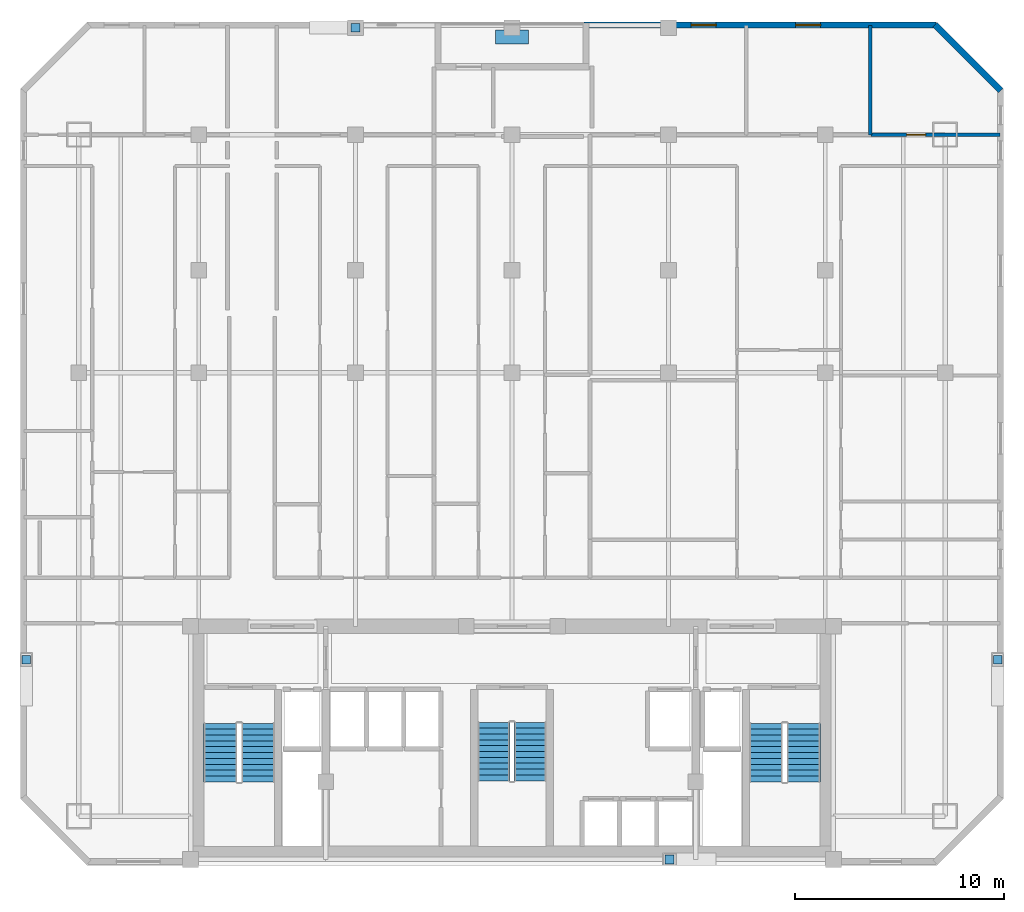
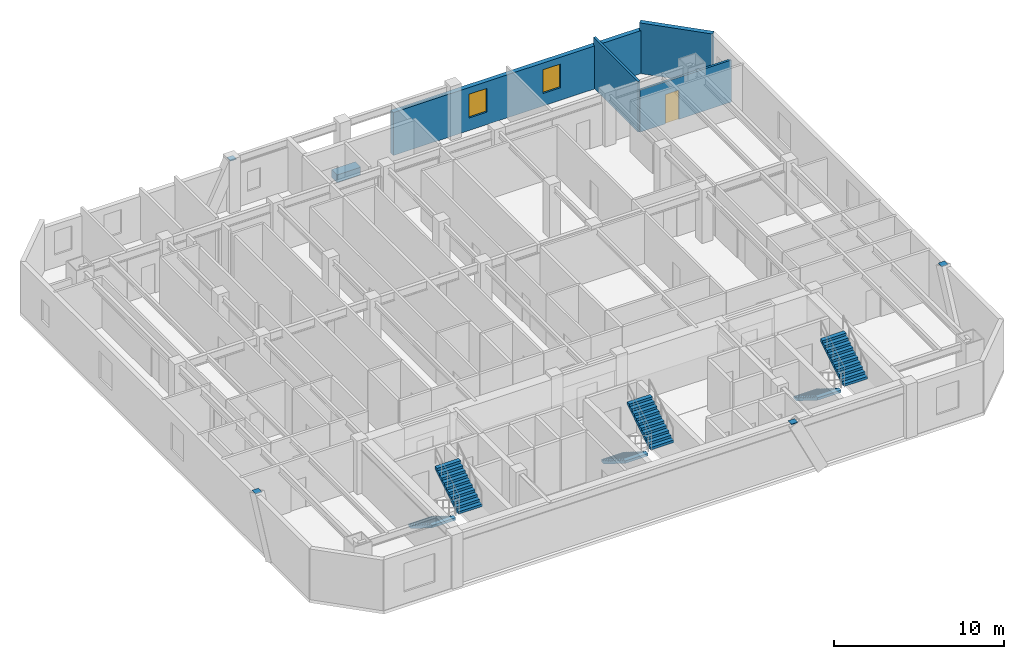
# One storey, part 7 of 8: 6 stair flights, 5 discrete accessories, 4 walls, 2 windows, 1 door, 3 openings, 3 elements without a shape of their own.
"""IFC4 building model written with IfcOpenShell, lengths in metres."""

from ifc_helpers import new_model, si_unit, direction, frame, frame_2d, origin, origin_2d, place, context, subcontext, project, spatial, polyline, rectangle, outline, extrude, material, layer, layer_set, type_object, element, fill, aggregate, save


model = new_model("IFC4")

# Units and contexts
model_context = context("Model", 3, precision=1e-05, world=origin(), true_north=direction((0.0, 1.0)))
body_context = subcontext(model_context, "Body", "Model", "MODEL_VIEW")
ifc_project = project(units=[si_unit("LENGTHUNIT", "METRE"), si_unit("AREAUNIT", "SQUARE_METRE"), si_unit("VOLUMEUNIT", "CUBIC_METRE"), si_unit("PLANEANGLEUNIT", "RADIAN"), si_unit("MASSUNIT", "GRAM", prefix="KILO")], contexts=[model_context])

# Site, building, storey
site_placement = place(None, origin())
site = spatial("IfcSite", under=ifc_project, at=site_placement, CompositionType="ELEMENT")
building_placement = place(site_placement, origin())
building = spatial("IfcBuilding", under=site, at=building_placement, Name="Ventersveld Concourse Tower", CompositionType="ELEMENT")
storey_placement = place(building_placement, frame((0.0, 0.0, 168.300048828125)))
storey = spatial("IfcBuildingStorey", under=building, at=storey_placement, Name="L41", CompositionType="ELEMENT", Elevation=168.300048828125)

# Wall, opening, door
ifc_material_1 = material(Name="Autoclaved aerated masonry blockwork", Category="masonry")
ifc_layer_1 = layer(ifc_material_1, 0.14990234375)
ifc_layer_set_1 = layer_set([ifc_layer_1], Name="Autoclaved aerated masonry blockwork")
wall_type_1 = type_object("IfcWallType", Name="WL-INT-150", PredefinedType="PARTITIONING", material=ifc_layer_set_1)
wall_1_placement = place(storey_placement, frame((45.94677734375, 35.0, 0.0), z_axis=(0.0, 0.0, 1.0), x_axis=(1.0, 0.0, 0.0)))
wall_1 = element("IfcWall", 1, at=wall_1_placement, inside=storey, type_object=wall_type_1, Name="L41 Interior Partition SP-L41-41CE-LIV-SP-L41-41CE-BR3", PredefinedType="PARTITIONING", context=body_context, shape_type="SweptSolid", body=[
    extrude(rectangle(XDim=6.1806640625, YDim=0.14990234375, at=frame_2d((3.09033203125, 0.0))), origin(), (0.0, 0.0, 1.0), 3.0126953125),
])
opening_1_placement = place(wall_1_placement, frame((1.703369140625, 0.0, 0.0)))
opening_1 = element("IfcOpeningElement", 2, at=opening_1_placement, cuts=wall_1, Name="Opening ID1", PredefinedType="OPENING", context=body_context, shape_type="SweptSolid", body=[
    extrude(rectangle(XDim=0.919921875, YDim=2.10009765625, at=frame_2d((0.4599609375, 1.050048828125))), frame((0.0, 0.0849609375, 0.0), z_axis=(0.0, -1.0, 0.0), x_axis=(1.0, 0.0, 0.0)), (0.0, 0.0, 1.0), 0.169921875),
])
ifc_material_2 = material(Name="Solid-core hardwood veneer timber", Category="wood")
door_type = type_object("IfcDoorType", Name="DR-ROOM-092", OperationType="NOTDEFINED", PredefinedType="DOOR", material=ifc_material_2)
door_placement = place(opening_1_placement, origin())
door = element("IfcDoor", 3, at=door_placement, inside=storey, type_object=door_type, Name="L41 Interior Door SP-L41-41CE-LIV to SP-L41-41CE-BR3 (D-L41-2032)", OperationType="SINGLE_SWING_RIGHT", OverallHeight=2.10009765625, OverallWidth=0.919921875, PredefinedType="DOOR", context=body_context, shape_type="SweptSolid", body=[
    extrude(rectangle(XDim=0.919921875, YDim=2.10009765625, at=frame_2d((0.4599609375, 1.050048828125))), frame((0.0, 0.02490234375, 0.0), z_axis=(0.0, -1.0, 0.0), x_axis=(1.0, 0.0, 0.0)), (0.0, 0.0, 1.0), 0.050048828125),
])
fill(opening_1, door)

# Walls
wall_2_placement = place(storey_placement, frame((45.91162109375, 34.9951171875, 0.0), z_axis=(0.0, 0.0, 1.0), x_axis=(0.0, 1.0, 0.0)))
element("IfcWall", 4, at=wall_2_placement, inside=storey, type_object=wall_type_1, Name="L41 Interior Partition SP-L41-41CE-BR2-SP-L41-41CE-BR3", PredefinedType="PARTITIONING", context=body_context, shape_type="SweptSolid", body=[
    extrude(rectangle(XDim=5.232421875, YDim=0.14990234375, at=frame_2d((2.6162109375, 0.0))), origin(), (0.0, 0.0, 1.0), 3.6298828125),
])
ifc_material_3 = material(Name="Precast concrete C45/55", Category="concrete")
ifc_layer_2 = layer(ifc_material_3, 0.300048828125)
ifc_layer_set_2 = layer_set([ifc_layer_2], Name="Precast concrete C45/55")
wall_type_2 = type_object("IfcWallType", Name="WL-PREC-300", PredefinedType="SOLIDWALL", material=ifc_layer_set_2)
wall_3_placement = place(storey_placement, frame((52.16552734375, 37.122314453125, 0.0), z_axis=(0.0, 0.0, 1.0), x_axis=(-0.707106781187, 0.707106781187, 0.0)))
element("IfcWall", 5, at=wall_3_placement, inside=storey, type_object=wall_type_2, Name="L41 Highveld Precast Facade Wall E04", PredefinedType="SOLIDWALL", context=body_context, shape_type="SweptSolid", body=[
    extrude(rectangle(XDim=4.4453125, YDim=0.300048828125, at=frame_2d((2.22265625, 0.0))), origin(), (0.0, 0.0, 1.0), 3.6298828125),
])

# Wall, openings, windows
wall_4_placement = place(storey_placement, frame((49.06005859375, 40.25, 0.0), z_axis=(0.0, 0.0, 1.0), x_axis=(-1.0, 0.0, 0.0)))
wall_4 = element("IfcWall", 6, at=wall_4_placement, inside=storey, type_object=wall_type_2, Name="L41 Highveld Precast Facade Wall E05", PredefinedType="SOLIDWALL", context=body_context, shape_type="SweptSolid", body=[
    extrude(rectangle(XDim=16.8701171875, YDim=0.300048828125, at=frame_2d((8.43505859375, 0.0))), origin(), (0.0, 0.0, 1.0), 3.08544921875),
])
opening_2_placement = place(wall_4_placement, frame((10.525390625, 0.0, 0.89990234375)))
opening_2 = element("IfcOpeningElement", 7, at=opening_2_placement, cuts=wall_4, Name="Opening W3", PredefinedType="OPENING", context=body_context, shape_type="SweptSolid", body=[
    extrude(rectangle(XDim=1.199951171875, YDim=1.699951171875, at=frame_2d((0.60009765625, 0.85009765625))), frame((0.0, 0.16015625, 0.0), z_axis=(0.0, -1.0, 0.0), x_axis=(1.0, 0.0, 0.0)), (0.0, 0.0, 1.0), 0.320068359375),
])
opening_3_placement = place(wall_4_placement, frame((5.51953125, 0.0, 0.89990234375)))
opening_3 = element("IfcOpeningElement", 8, at=opening_3_placement, cuts=wall_4, Name="Opening W3", PredefinedType="OPENING", context=body_context, shape_type="SweptSolid", body=[
    extrude(rectangle(XDim=1.199951171875, YDim=1.699951171875, at=frame_2d((0.60009765625, 0.85009765625))), frame((0.0, 0.16015625, 0.0), z_axis=(0.0, -1.0, 0.0), x_axis=(1.0, 0.0, 0.0)), (0.0, 0.0, 1.0), 0.320068359375),
])
ifc_material_4 = material(Name="Tempered acoustic Low-E IGU", Category="glass")
window_type = type_object("IfcWindowType", Name="WIN-120x180", PartitioningType="SINGLE_PANEL", PredefinedType="WINDOW", material=ifc_material_4)
window_1_placement = place(opening_2_placement, origin())
window_1 = element("IfcWindow", 9, at=window_1_placement, inside=storey, type_object=window_type, Name="L41 Punched Low-E Window W-0560", OverallHeight=1.699951171875, OverallWidth=1.199951171875, PartitioningType="SINGLE_PANEL", PredefinedType="WINDOW", context=body_context, shape_type="SweptSolid", body=[
    extrude(rectangle(XDim=1.199951171875, YDim=1.699951171875, at=frame_2d((0.60009765625, 0.85009765625))), frame((0.0, 0.030029296875, 0.0), z_axis=(0.0, -1.0, 0.0), x_axis=(1.0, 0.0, 0.0)), (0.0, 0.0, 1.0), 0.06005859375),
])
fill(opening_2, window_1)
window_2_placement = place(opening_3_placement, origin())
window_2 = element("IfcWindow", 10, at=window_2_placement, inside=storey, type_object=window_type, Name="L41 Punched Low-E Window W-0561", OverallHeight=1.699951171875, OverallWidth=1.199951171875, PartitioningType="SINGLE_PANEL", PredefinedType="WINDOW", context=body_context, shape_type="SweptSolid", body=[
    extrude(rectangle(XDim=1.199951171875, YDim=1.699951171875, at=frame_2d((0.60009765625, 0.85009765625))), frame((0.0, 0.030029296875, 0.0), z_axis=(0.0, -1.0, 0.0), x_axis=(1.0, 0.0, 0.0)), (0.0, 0.0, 1.0), 0.06005859375),
])
fill(opening_3, window_2)

# Stair, stair flights
ifc_material_5 = material(Name="Concrete C50/60", Category="concrete")
stair_type_1 = type_object("IfcStairType", Name="ST-DOG-155", PredefinedType="HALF_TURN_STAIR", material=ifc_material_5)
stair_1_placement = place(storey_placement, origin())
stair_1 = element("IfcStair", 11, at=stair_1_placement, inside=storey, type_object=stair_type_1, Name="L41 Protected Central Core Escape Stair ST-03", PredefinedType="HALF_TURN_STAIR")
stair_flight_type_1 = type_object("IfcStairFlightType", Name="STF-RC-155", PredefinedType="STRAIGHT", material=ifc_material_5)
stair_flight_1_placement = place(storey_placement, frame((27.875, 6.85009765625, 0.0), z_axis=(0.0, 0.0, 1.0), x_axis=(0.0, -1.0, 0.0)))
stair_flight_1 = element("IfcStairFlight", 12, at=stair_flight_1_placement, type_object=stair_flight_type_1, Name="ST-03 flight 1", NumberOfRisers=11, NumberOfTreads=10, PredefinedType="STRAIGHT", RiserHeight=0.175, TreadLength=0.28, context=body_context, shape_type="SweptSolid", body=[
    extrude(outline(polyline([(0.0, 0.0), (0.0, 0.175048828125), (0.280029296875, 0.175048828125), (0.280029296875, 0.35009765625), (0.56005859375, 0.35009765625), (0.56005859375, 0.52490234375), (0.840087890625, 0.52490234375), (0.840087890625, 0.699951171875), (1.1201171875, 0.699951171875), (1.1201171875, 0.875), (1.39990234375, 0.875), (1.39990234375, 1.050048828125), (1.679931640625, 1.050048828125), (1.679931640625, 1.22509765625), (1.9599609375, 1.22509765625), (1.9599609375, 1.39990234375), (2.239990234375, 1.39990234375), (2.239990234375, 1.574951171875), (2.52001953125, 1.574951171875), (2.52001953125, 1.75), (2.800048828125, 1.75), (2.800048828125, 1.925048828125), (2.800048828125, 1.5732421875), (0.28271484375, 0.0), (0.0, 0.0)])), frame((0.0, 0.77490234375, 0.0), z_axis=(0.0, -1.0, 0.0), x_axis=(1.0, 0.0, 0.0)), (0.0, 0.0, 1.0), 1.550048828125),
])
stair_flight_2_placement = place(storey_placement, frame((29.625, 4.050048828125, 1.925048828125), z_axis=(0.0, 0.0, 1.0), x_axis=(0.0, 1.0, 0.0)))
stair_flight_2 = element("IfcStairFlight", 13, at=stair_flight_2_placement, type_object=stair_flight_type_1, Name="ST-03 flight 2", NumberOfRisers=11, NumberOfTreads=10, PredefinedType="STRAIGHT", RiserHeight=0.175, TreadLength=0.28, context=body_context, shape_type="SweptSolid", body=[
    extrude(outline(polyline([(0.0, 0.0), (0.0, 0.175048828125), (0.280029296875, 0.175048828125), (0.280029296875, 0.35009765625), (0.56005859375, 0.35009765625), (0.56005859375, 0.52490234375), (0.840087890625, 0.52490234375), (0.840087890625, 0.699951171875), (1.1201171875, 0.699951171875), (1.1201171875, 0.875), (1.39990234375, 0.875), (1.39990234375, 1.050048828125), (1.679931640625, 1.050048828125), (1.679931640625, 1.22509765625), (1.9599609375, 1.22509765625), (1.9599609375, 1.39990234375), (2.239990234375, 1.39990234375), (2.239990234375, 1.574951171875), (2.52001953125, 1.574951171875), (2.52001953125, 1.75), (2.800048828125, 1.75), (2.800048828125, 1.925048828125), (2.800048828125, 1.5732421875), (0.28271484375, 0.0), (0.0, 0.0)])), frame((0.0, 0.77490234375, 0.0), z_axis=(0.0, -1.0, 0.0), x_axis=(1.0, 0.0, 0.0)), (0.0, 0.0, 1.0), 1.550048828125),
])
aggregate(stair_1, [stair_flight_1, stair_flight_2])

stair_type_2 = type_object("IfcStairType", Name="ST-DOG-160", PredefinedType="HALF_TURN_STAIR", material=ifc_material_5)
stair_2_placement = place(storey_placement, origin())
stair_2 = element("IfcStair", 14, at=stair_2_placement, inside=storey, type_object=stair_type_2, Name="L41 Protected Tower Escape Stair ST-01", PredefinedType="HALF_TURN_STAIR")
stair_flight_type_2 = type_object("IfcStairFlightType", Name="STF-RC-160", PredefinedType="STRAIGHT", material=ifc_material_5)
stair_flight_3_placement = place(storey_placement, frame((14.780029296875, 6.800048828125, 0.0), z_axis=(0.0, 0.0, 1.0), x_axis=(0.0, -1.0, 0.0)))
stair_flight_3 = element("IfcStairFlight", 15, at=stair_flight_3_placement, type_object=stair_flight_type_2, Name="ST-01 flight 1", NumberOfRisers=11, NumberOfTreads=10, PredefinedType="STRAIGHT", RiserHeight=0.175, TreadLength=0.28, context=body_context, shape_type="SweptSolid", body=[
    extrude(outline(polyline([(0.0, 0.0), (0.0, 0.175048828125), (0.280029296875, 0.175048828125), (0.280029296875, 0.35009765625), (0.56005859375, 0.35009765625), (0.56005859375, 0.52490234375), (0.840087890625, 0.52490234375), (0.840087890625, 0.699951171875), (1.1201171875, 0.699951171875), (1.1201171875, 0.875), (1.39990234375, 0.875), (1.39990234375, 1.050048828125), (1.679931640625, 1.050048828125), (1.679931640625, 1.22509765625), (1.9599609375, 1.22509765625), (1.9599609375, 1.39990234375), (2.239990234375, 1.39990234375), (2.239990234375, 1.574951171875), (2.52001953125, 1.574951171875), (2.52001953125, 1.75), (2.800048828125, 1.75), (2.800048828125, 1.925048828125), (2.800048828125, 1.5732421875), (0.28271484375, 0.0), (0.0, 0.0)])), frame((0.0, 0.800048828125, 0.0), z_axis=(0.0, -1.0, 0.0), x_axis=(1.0, 0.0, 0.0)), (0.0, 0.0, 1.0), 1.60009765625),
])
stair_flight_4_placement = place(storey_placement, frame((16.580078125, 4.0, 1.925048828125), z_axis=(0.0, 0.0, 1.0), x_axis=(0.0, 1.0, 0.0)))
stair_flight_4 = element("IfcStairFlight", 16, at=stair_flight_4_placement, type_object=stair_flight_type_2, Name="ST-01 flight 2", NumberOfRisers=11, NumberOfTreads=10, PredefinedType="STRAIGHT", RiserHeight=0.175, TreadLength=0.28, context=body_context, shape_type="SweptSolid", body=[
    extrude(outline(polyline([(0.0, 0.0), (0.0, 0.175048828125), (0.280029296875, 0.175048828125), (0.280029296875, 0.35009765625), (0.56005859375, 0.35009765625), (0.56005859375, 0.52490234375), (0.840087890625, 0.52490234375), (0.840087890625, 0.699951171875), (1.1201171875, 0.699951171875), (1.1201171875, 0.875), (1.39990234375, 0.875), (1.39990234375, 1.050048828125), (1.679931640625, 1.050048828125), (1.679931640625, 1.22509765625), (1.9599609375, 1.22509765625), (1.9599609375, 1.39990234375), (2.239990234375, 1.39990234375), (2.239990234375, 1.574951171875), (2.52001953125, 1.574951171875), (2.52001953125, 1.75), (2.800048828125, 1.75), (2.800048828125, 1.925048828125), (2.800048828125, 1.5732421875), (0.28271484375, 0.0), (0.0, 0.0)])), frame((0.0, 0.800048828125, 0.0), z_axis=(0.0, -1.0, 0.0), x_axis=(1.0, 0.0, 0.0)), (0.0, 0.0, 1.0), 1.60009765625),
])
aggregate(stair_2, [stair_flight_3, stair_flight_4])

stair_3_placement = place(storey_placement, origin())
stair_3 = element("IfcStair", 17, at=stair_3_placement, inside=storey, type_object=stair_type_2, Name="L41 Protected Tower Escape Stair ST-02", PredefinedType="HALF_TURN_STAIR")
stair_flight_5_placement = place(storey_placement, frame((40.919921875, 6.800048828125, 0.0), z_axis=(0.0, 0.0, 1.0), x_axis=(0.0, -1.0, 0.0)))
stair_flight_5 = element("IfcStairFlight", 18, at=stair_flight_5_placement, type_object=stair_flight_type_2, Name="ST-02 flight 1", NumberOfRisers=11, NumberOfTreads=10, PredefinedType="STRAIGHT", RiserHeight=0.175, TreadLength=0.28, context=body_context, shape_type="SweptSolid", body=[
    extrude(outline(polyline([(0.0, 0.0), (0.0, 0.175048828125), (0.280029296875, 0.175048828125), (0.280029296875, 0.35009765625), (0.56005859375, 0.35009765625), (0.56005859375, 0.52490234375), (0.840087890625, 0.52490234375), (0.840087890625, 0.699951171875), (1.1201171875, 0.699951171875), (1.1201171875, 0.875), (1.39990234375, 0.875), (1.39990234375, 1.050048828125), (1.679931640625, 1.050048828125), (1.679931640625, 1.22509765625), (1.9599609375, 1.22509765625), (1.9599609375, 1.39990234375), (2.239990234375, 1.39990234375), (2.239990234375, 1.574951171875), (2.52001953125, 1.574951171875), (2.52001953125, 1.75), (2.800048828125, 1.75), (2.800048828125, 1.925048828125), (2.800048828125, 1.5732421875), (0.28271484375, 0.0), (0.0, 0.0)])), frame((0.0, 0.800048828125, 0.0), z_axis=(0.0, -1.0, 0.0), x_axis=(1.0, 0.0, 0.0)), (0.0, 0.0, 1.0), 1.60009765625),
])
stair_flight_6_placement = place(storey_placement, frame((42.719970703125, 4.0, 1.925048828125), z_axis=(0.0, 0.0, 1.0), x_axis=(0.0, 1.0, 0.0)))
stair_flight_6 = element("IfcStairFlight", 19, at=stair_flight_6_placement, type_object=stair_flight_type_2, Name="ST-02 flight 2", NumberOfRisers=11, NumberOfTreads=10, PredefinedType="STRAIGHT", RiserHeight=0.175, TreadLength=0.28, context=body_context, shape_type="SweptSolid", body=[
    extrude(outline(polyline([(0.0, 0.0), (0.0, 0.175048828125), (0.280029296875, 0.175048828125), (0.280029296875, 0.35009765625), (0.56005859375, 0.35009765625), (0.56005859375, 0.52490234375), (0.840087890625, 0.52490234375), (0.840087890625, 0.699951171875), (1.1201171875, 0.699951171875), (1.1201171875, 0.875), (1.39990234375, 0.875), (1.39990234375, 1.050048828125), (1.679931640625, 1.050048828125), (1.679931640625, 1.22509765625), (1.9599609375, 1.22509765625), (1.9599609375, 1.39990234375), (2.239990234375, 1.39990234375), (2.239990234375, 1.574951171875), (2.52001953125, 1.574951171875), (2.52001953125, 1.75), (2.800048828125, 1.75), (2.800048828125, 1.925048828125), (2.800048828125, 1.5732421875), (0.28271484375, 0.0), (0.0, 0.0)])), frame((0.0, 0.800048828125, 0.0), z_axis=(0.0, -1.0, 0.0), x_axis=(1.0, 0.0, 0.0)), (0.0, 0.0, 1.0), 1.60009765625),
])
aggregate(stair_3, [stair_flight_5, stair_flight_6])

# Discrete accessories
ifc_material_6 = material(Name="Structural steel S355J2", Category="steel")
discrete_accessory_type_1 = type_object("IfcDiscreteAccessoryType", Name="CONN-BRACE-ECP1", PredefinedType="BRACKET", material=ifc_material_6)
for number, where, z_axis, x_axis, name in (
    (20, (21.25, 40.1201171875, 3.60986328125), (0.0, 0.0, 1.0), (1.0, 0.0, 0.0), "L41 Steel Brace End Connection Plate ECP1-0336"),
    (21, (36.300048828125, 0.280029296875, 3.60986328125), (0.0, 0.0, 1.0), (1.0, 0.0, 0.0), "L41 Steel Brace End Connection Plate ECP1-0340"),
    (22, (5.47998046875, 9.85009765625, 3.60986328125), (0.0, 0.0, 1.0), (1.0, 0.0, 0.0), "L41 Steel Brace End Connection Plate ECP1-0345"),
    (23, (52.02001953125, 9.85009765625, 3.60986328125), (0.0, 0.0, 1.0), (1.0, 0.0, 0.0), "L41 Steel Brace End Connection Plate ECP1-0350"),
):
    element("IfcDiscreteAccessory", number, at=place(storey_placement, frame(where, z_axis=z_axis, x_axis=x_axis)), inside=storey, type_object=discrete_accessory_type_1, Name=name, PredefinedType="BRACKET", context=body_context, shape_type="SweptSolid", body=[
        extrude(rectangle(XDim=0.419921875, YDim=0.419921875, at=origin_2d()), origin(), (0.0, 0.0, 1.0), 0.0400390625),
    ])
discrete_accessory_type_2 = type_object("IfcDiscreteAccessoryType", Name="PLN-TERR-180", PredefinedType="USERDEFINED", material=ifc_material_3)
discrete_accessory_placement = place(storey_placement, frame((28.75, 39.679931640625, 0.0), z_axis=(0.0, 0.0, 1.0), x_axis=(1.0, 0.0, 0.0)))
element("IfcDiscreteAccessory", 24, at=discrete_accessory_placement, inside=storey, type_object=discrete_accessory_type_2, Name="L41 Planted Precast Terrace Planter Box NOTCH-N", ObjectType="PLANTER", PredefinedType="USERDEFINED", context=body_context, shape_type="SweptSolid", body=[
    extrude(rectangle(XDim=1.60009765625, YDim=0.64990234375, at=origin_2d()), origin(), (0.0, 0.0, 1.0), 0.550048828125),
])

save(model, "model.ifc")
